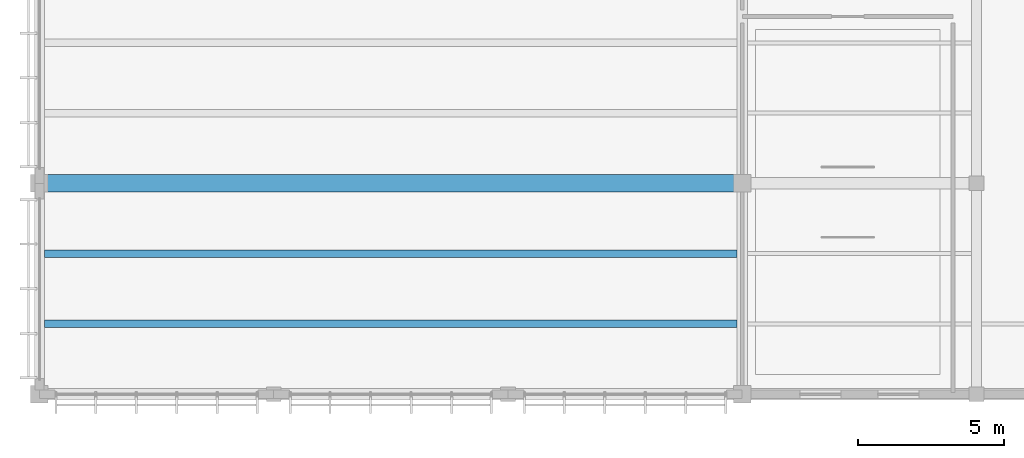
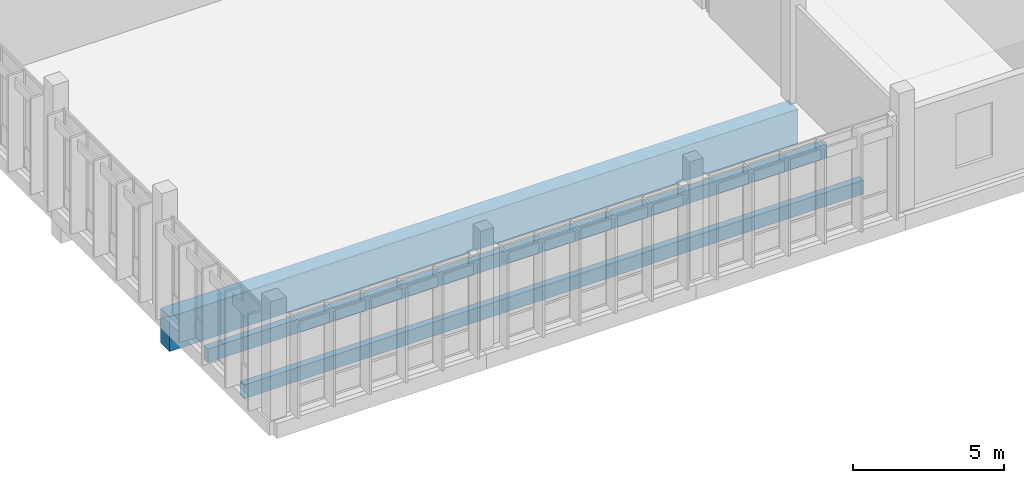
# One storey, part 13 of 177: 3 beams.
"""IFC4 building model written with IfcOpenShell, lengths in metres."""

from ifc_helpers import new_model, si_unit, direction, frame, origin, origin_2d, place, context, subcontext, project, spatial, rectangle, extrude, material, material_profile, profile_set, type_object, element, save


model = new_model("IFC4")

# Units and contexts
model_context = context("Model", 3, precision=1e-05, world=origin(), true_north=direction((0.0, 1.0)))
body_context = subcontext(model_context, "Body", "Model", "MODEL_VIEW")
ifc_project = project(units=[si_unit("LENGTHUNIT", "METRE"), si_unit("AREAUNIT", "SQUARE_METRE"), si_unit("VOLUMEUNIT", "CUBIC_METRE"), si_unit("PLANEANGLEUNIT", "RADIAN"), si_unit("MASSUNIT", "GRAM", prefix="KILO")], contexts=[model_context])

# Site, building, storey
site_placement = place(None, origin())
site = spatial("IfcSite", under=ifc_project, at=site_placement, CompositionType="ELEMENT")
building_placement = place(site_placement, origin())
building = spatial("IfcBuilding", under=site, at=building_placement, Name="Chiffa Square Polytechnic", CompositionType="ELEMENT")
storey_placement = place(building_placement, frame((0.0, 0.0, 4.800048828125)))
storey = spatial("IfcBuildingStorey", under=building, at=storey_placement, Name="L01", CompositionType="ELEMENT", Elevation=4.800048828125)

# Beams
ifc_material_1 = material(Name="Concrete C40/50", Category="concrete")
ifc_material_profile_1 = material_profile(ifc_material_1, rectangle(XDim=0.60009765625, YDim=1.39990234375, at=origin_2d()), Name="RC 600x1400")
ifc_profile_set_1 = profile_set([ifc_material_profile_1], Name="Concrete C40/50")
beam_type_1 = type_object("IfcBeamType", Name="BM-RC-600X1400", PredefinedType="BEAM", material=ifc_profile_set_1)
beam_placement = place(storey_placement, frame((0.0, 7.199951171875, -0.97998046875), z_axis=(1.0, 0.0, 0.0), x_axis=(0.0, 1.0, 0.0)))
element("IfcBeam", 1, at=beam_placement, inside=storey, type_object=beam_type_1, Name="Primary floor girder BM-V3-L01-X-0000-0072", PredefinedType="BEAM", context=body_context, shape_type="SweptSolid", body=[
    extrude(rectangle(XDim=0.60009765625, YDim=1.39990234375, at=origin_2d()), origin(), (0.0, 0.0, 1.0), 24.0),
])
ifc_material_2 = material(Name="Glulam GL28h", Category="wood")
ifc_material_profile_2 = material_profile(ifc_material_2, rectangle(XDim=0.260009765625, YDim=0.56005859375, at=origin_2d()), Name="GL28h 260x560")
ifc_profile_set_2 = profile_set([ifc_material_profile_2], Name="Glulam GL28h")
beam_type_2 = type_object("IfcBeamType", Name="JST-GL-260X560", PredefinedType="JOIST", material=ifc_profile_set_2)
for number, where, z_axis, x_axis, name in (
    (2, (0.173095703125, 2.39990234375, -0.56005859375), (1.0, 0.0, 0.0), (0.0, 1.0, 0.0), "Secondary floor joist JST-V3-L01-0000-0024"),
    (3, (0.173095703125, 4.800048828125, -0.56005859375), (1.0, 0.0, 0.0), (0.0, 1.0, 0.0), "Secondary floor joist JST-V3-L01-0000-0048"),
):
    element("IfcBeam", number, at=place(storey_placement, frame(where, z_axis=z_axis, x_axis=x_axis)), inside=storey, type_object=beam_type_2, Name=name, PredefinedType="JOIST", context=body_context, shape_type="SweptSolid", body=[
        extrude(rectangle(XDim=0.260009765625, YDim=0.56005859375, at=origin_2d()), origin(), (0.0, 0.0, 1.0), 23.65380859375),
    ])

save(model, "model.ifc")
